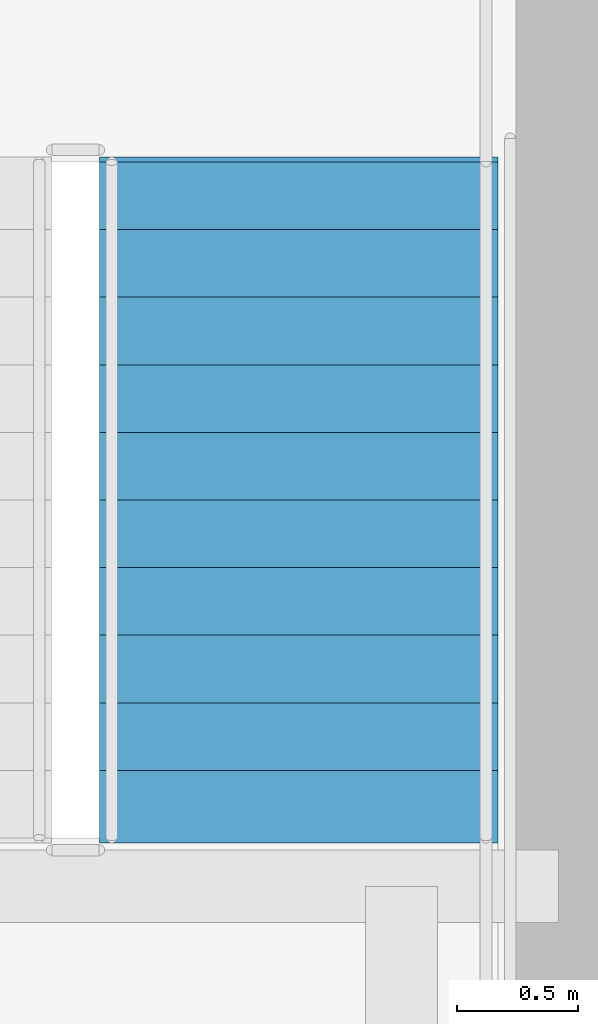
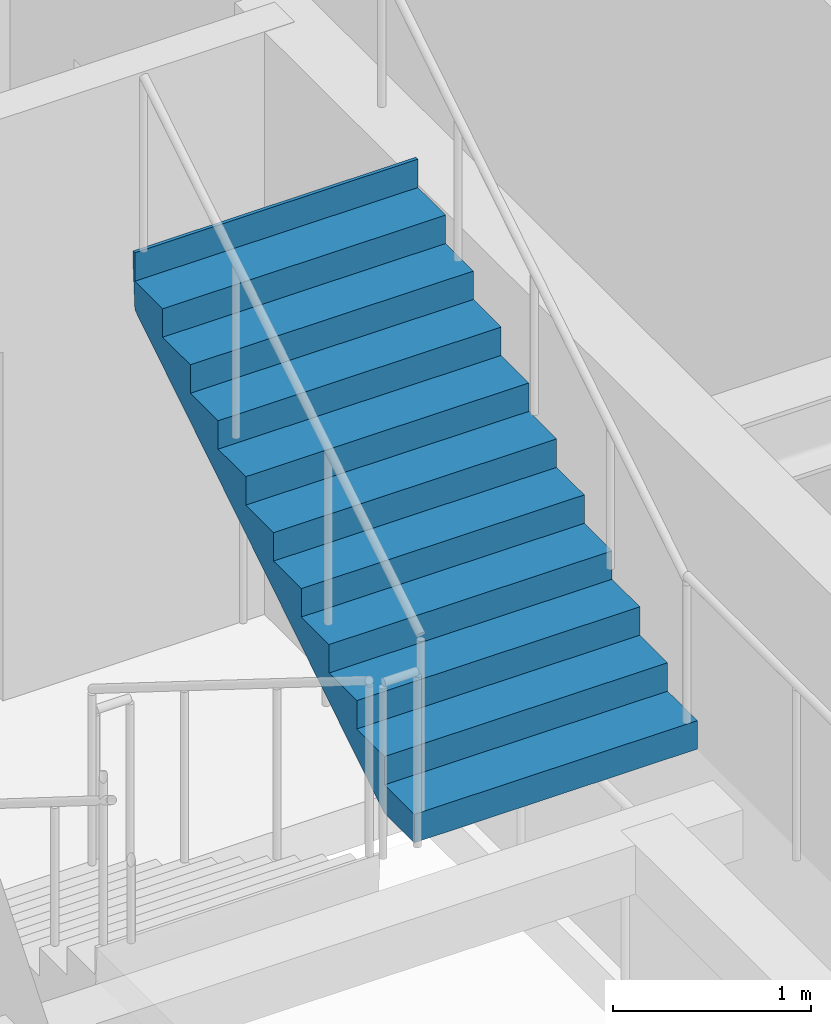
# One storey, part 31 of 37: 1 stair flight, 1 element without a shape of its own.
"""IFC4 building model written with IfcOpenShell, lengths in metres."""

from ifc_helpers import new_model, si_unit, direction, frame, origin, place, context, subcontext, project, spatial, polygons, material, type_object, element, aggregate, save


model = new_model("IFC4")

# Units and contexts
model_context = context("Model", 3, precision=1e-05, world=origin(), true_north=direction((0.0, 1.0)))
body_context = subcontext(model_context, "Body", "Model", "MODEL_VIEW")
ifc_project = project(units=[si_unit("LENGTHUNIT", "METRE"), si_unit("AREAUNIT", "SQUARE_METRE"), si_unit("VOLUMEUNIT", "CUBIC_METRE"), si_unit("PLANEANGLEUNIT", "RADIAN"), si_unit("MASSUNIT", "GRAM", prefix="KILO")], contexts=[model_context])

# Site, building, storey
site_placement = place(None, origin())
site = spatial("IfcSite", under=ifc_project, at=site_placement, CompositionType="ELEMENT")
building_placement = place(site_placement, origin())
building = spatial("IfcBuilding", under=site, at=building_placement, Name="Serunith Strait Residences", CompositionType="ELEMENT")
storey_placement = place(building_placement, frame((0.0, 0.0, 218.14990234375)))
storey = spatial("IfcBuildingStorey", under=building, at=storey_placement, Name="L54", CompositionType="ELEMENT", Elevation=218.14990234375)

# Stair, stair flight
ifc_material = material(Name="Concrete C50/60", Category="concrete")
stair_type = type_object("IfcStairType", Name="STR-CORE-2", PredefinedType="HALF_TURN_STAIR", material=ifc_material)
stair_placement = place(storey_placement, origin())
stair = element("IfcStair", 1, at=stair_placement, inside=storey, type_object=stair_type, Name="L54 Protected Escape Stair ST-2", PredefinedType="HALF_TURN_STAIR")
stair_flight_type = type_object("IfcStairFlightType", Name="FLT-CORE-2", PredefinedType="STRAIGHT", material=ifc_material)
stair_flight_placement = place(storey_placement, frame((40.324951171875, 20.570068359375, 1.925048828125), z_axis=(0.0, 0.0, 1.0), x_axis=(0.0, 1.0, 0.0)))
stair_flight = element("IfcStairFlight", 2, at=stair_flight_placement, type_object=stair_flight_type, Name="ST-2 flight 2", NumberOfRisers=11, NumberOfTreads=10, PredefinedType="STRAIGHT", RiserHeight=0.175, TreadLength=0.28, context=body_context, shape_type="Tessellation", body=[
    polygons([(-0.02001953125, -0.824951171875, 0.0), (-0.02001953125, -0.824951171875, 0.175048828125), (0.280029296875, -0.824951171875, 0.175048828125), (0.280029296875, -0.824951171875, 0.35009765625), (0.56005859375, -0.824951171875, 0.35009765625), (0.56005859375, -0.824951171875, 0.52490234375), (0.840087890625, -0.824951171875, 0.52490234375), (0.840087890625, -0.824951171875, 0.699951171875), (1.1201171875, -0.824951171875, 0.699951171875), (1.1201171875, -0.824951171875, 0.875), (1.39990234375, -0.824951171875, 0.875), (1.39990234375, -0.824951171875, 1.050048828125), (1.679931640625, -0.824951171875, 1.050048828125), (1.679931640625, -0.824951171875, 1.22509765625), (1.9599609375, -0.824951171875, 1.22509765625), (1.9599609375, -0.824951171875, 1.39990234375), (2.239990234375, -0.824951171875, 1.39990234375), (2.239990234375, -0.824951171875, 1.574951171875), (2.52001953125, -0.824951171875, 1.574951171875), (2.52001953125, -0.824951171875, 1.75), (2.800048828125, -0.824951171875, 1.75), (2.800048828125, -0.824951171875, 1.925048828125), (2.820068359375, -0.824951171875, 1.925048828125), (2.820068359375, -0.824951171875, 1.864990234375), (2.800048828125, -0.824951171875, 1.5732421875), (0.28271484375, -0.824951171875, 0.0), (-0.02001953125, -0.41259765625, 0.0), (-0.02001953125, -0.41259765625, 0.175048828125), (0.280029296875, -0.41259765625, 0.175048828125), (0.280029296875, -0.41259765625, 0.35009765625), (0.56005859375, -0.41259765625, 0.35009765625), (0.56005859375, -0.41259765625, 0.52490234375), (0.840087890625, -0.41259765625, 0.52490234375), (0.840087890625, -0.41259765625, 0.699951171875), (1.1201171875, -0.41259765625, 0.699951171875), (1.1201171875, -0.41259765625, 0.875), (1.39990234375, -0.41259765625, 0.875), (1.39990234375, -0.41259765625, 1.050048828125), (1.679931640625, -0.41259765625, 1.050048828125), (1.679931640625, -0.41259765625, 1.22509765625), (1.9599609375, -0.41259765625, 1.22509765625), (1.9599609375, -0.41259765625, 1.39990234375), (2.239990234375, -0.41259765625, 1.39990234375), (2.239990234375, -0.41259765625, 1.574951171875), (2.52001953125, -0.41259765625, 1.574951171875), (2.52001953125, -0.41259765625, 1.75), (2.800048828125, -0.41259765625, 1.75), (2.800048828125, -0.41259765625, 1.925048828125), (2.820068359375, -0.41259765625, 1.925048828125), (2.820068359375, -0.41259765625, 1.864990234375), (2.800048828125, -0.41259765625, 1.5732421875), (0.28271484375, -0.41259765625, 0.0), (-0.02001953125, 0.0, 0.0), (-0.02001953125, 0.0, 0.175048828125), (0.280029296875, 0.0, 0.175048828125), (0.280029296875, 0.0, 0.35009765625), (0.56005859375, 0.0, 0.35009765625), (0.56005859375, 0.0, 0.52490234375), (0.840087890625, 0.0, 0.52490234375), (0.840087890625, 0.0, 0.699951171875), (1.1201171875, 0.0, 0.699951171875), (1.1201171875, 0.0, 0.875), (1.39990234375, 0.0, 0.875), (1.39990234375, 0.0, 1.050048828125), (1.679931640625, 0.0, 1.050048828125), (1.679931640625, 0.0, 1.22509765625), (1.9599609375, 0.0, 1.22509765625), (1.9599609375, 0.0, 1.39990234375), (2.239990234375, 0.0, 1.39990234375), (2.239990234375, 0.0, 1.574951171875), (2.52001953125, 0.0, 1.574951171875), (2.52001953125, 0.0, 1.75), (2.800048828125, 0.0, 1.75), (2.800048828125, 0.0, 1.925048828125), (2.820068359375, 0.0, 1.925048828125), (2.820068359375, 0.0, 1.864990234375), (2.800048828125, 0.0, 1.5732421875), (0.28271484375, 0.0, 0.0), (-0.02001953125, 0.41259765625, 0.0), (-0.02001953125, 0.41259765625, 0.175048828125), (0.280029296875, 0.41259765625, 0.175048828125), (0.280029296875, 0.41259765625, 0.35009765625), (0.56005859375, 0.41259765625, 0.35009765625), (0.56005859375, 0.41259765625, 0.52490234375), (0.840087890625, 0.41259765625, 0.52490234375), (0.840087890625, 0.41259765625, 0.699951171875), (1.1201171875, 0.41259765625, 0.699951171875), (1.1201171875, 0.41259765625, 0.875), (1.39990234375, 0.41259765625, 0.875), (1.39990234375, 0.41259765625, 1.050048828125), (1.679931640625, 0.41259765625, 1.050048828125), (1.679931640625, 0.41259765625, 1.22509765625), (1.9599609375, 0.41259765625, 1.22509765625), (1.9599609375, 0.41259765625, 1.39990234375), (2.239990234375, 0.41259765625, 1.39990234375), (2.239990234375, 0.41259765625, 1.574951171875), (2.52001953125, 0.41259765625, 1.574951171875), (2.52001953125, 0.41259765625, 1.75), (2.800048828125, 0.41259765625, 1.75), (2.800048828125, 0.41259765625, 1.925048828125), (2.820068359375, 0.41259765625, 1.925048828125), (2.820068359375, 0.41259765625, 1.864990234375), (2.800048828125, 0.41259765625, 1.5732421875), (0.28271484375, 0.41259765625, 0.0), (-0.02001953125, 0.824951171875, 0.0), (-0.02001953125, 0.824951171875, 0.175048828125), (0.280029296875, 0.824951171875, 0.175048828125), (0.280029296875, 0.824951171875, 0.35009765625), (0.56005859375, 0.824951171875, 0.35009765625), (0.56005859375, 0.824951171875, 0.52490234375), (0.840087890625, 0.824951171875, 0.52490234375), (0.840087890625, 0.824951171875, 0.699951171875), (1.1201171875, 0.824951171875, 0.699951171875), (1.1201171875, 0.824951171875, 0.875), (1.39990234375, 0.824951171875, 0.875), (1.39990234375, 0.824951171875, 1.050048828125), (1.679931640625, 0.824951171875, 1.050048828125), (1.679931640625, 0.824951171875, 1.22509765625), (1.9599609375, 0.824951171875, 1.22509765625), (1.9599609375, 0.824951171875, 1.39990234375), (2.239990234375, 0.824951171875, 1.39990234375), (2.239990234375, 0.824951171875, 1.574951171875), (2.52001953125, 0.824951171875, 1.574951171875), (2.52001953125, 0.824951171875, 1.75), (2.800048828125, 0.824951171875, 1.75), (2.800048828125, 0.824951171875, 1.925048828125), (2.820068359375, 0.824951171875, 1.925048828125), (2.820068359375, 0.824951171875, 1.864990234375), (2.800048828125, 0.824951171875, 1.5732421875), (0.28271484375, 0.824951171875, 0.0)], [[[1, 2, 28, 27]], [[2, 3, 29, 28]], [[3, 4, 30, 29]], [[4, 5, 31, 30]], [[5, 6, 32, 31]], [[6, 7, 33, 32]], [[7, 8, 34, 33]], [[8, 9, 35, 34]], [[9, 10, 36, 35]], [[10, 11, 37, 36]], [[11, 12, 38, 37]], [[12, 13, 39, 38]], [[13, 14, 40, 39]], [[14, 15, 41, 40]], [[15, 16, 42, 41]], [[16, 17, 43, 42]], [[17, 18, 44, 43]], [[18, 19, 45, 44]], [[19, 20, 46, 45]], [[20, 21, 47, 46]], [[21, 22, 48, 47]], [[22, 23, 49, 48]], [[23, 24, 50, 49]], [[24, 25, 51, 50]], [[25, 26, 52, 51]], [[26, 1, 27, 52]], [[27, 28, 54, 53]], [[28, 29, 55, 54]], [[29, 30, 56, 55]], [[30, 31, 57, 56]], [[31, 32, 58, 57]], [[32, 33, 59, 58]], [[33, 34, 60, 59]], [[34, 35, 61, 60]], [[35, 36, 62, 61]], [[36, 37, 63, 62]], [[37, 38, 64, 63]], [[38, 39, 65, 64]], [[39, 40, 66, 65]], [[40, 41, 67, 66]], [[41, 42, 68, 67]], [[42, 43, 69, 68]], [[43, 44, 70, 69]], [[44, 45, 71, 70]], [[45, 46, 72, 71]], [[46, 47, 73, 72]], [[47, 48, 74, 73]], [[48, 49, 75, 74]], [[49, 50, 76, 75]], [[50, 51, 77, 76]], [[51, 52, 78, 77]], [[52, 27, 53, 78]], [[53, 54, 80, 79]], [[54, 55, 81, 80]], [[55, 56, 82, 81]], [[56, 57, 83, 82]], [[57, 58, 84, 83]], [[58, 59, 85, 84]], [[59, 60, 86, 85]], [[60, 61, 87, 86]], [[61, 62, 88, 87]], [[62, 63, 89, 88]], [[63, 64, 90, 89]], [[64, 65, 91, 90]], [[65, 66, 92, 91]], [[66, 67, 93, 92]], [[67, 68, 94, 93]], [[68, 69, 95, 94]], [[69, 70, 96, 95]], [[70, 71, 97, 96]], [[71, 72, 98, 97]], [[72, 73, 99, 98]], [[73, 74, 100, 99]], [[74, 75, 101, 100]], [[75, 76, 102, 101]], [[76, 77, 103, 102]], [[77, 78, 104, 103]], [[78, 53, 79, 104]], [[79, 80, 106, 105]], [[80, 81, 107, 106]], [[81, 82, 108, 107]], [[82, 83, 109, 108]], [[83, 84, 110, 109]], [[84, 85, 111, 110]], [[85, 86, 112, 111]], [[86, 87, 113, 112]], [[87, 88, 114, 113]], [[88, 89, 115, 114]], [[89, 90, 116, 115]], [[90, 91, 117, 116]], [[91, 92, 118, 117]], [[92, 93, 119, 118]], [[93, 94, 120, 119]], [[94, 95, 121, 120]], [[95, 96, 122, 121]], [[96, 97, 123, 122]], [[97, 98, 124, 123]], [[98, 99, 125, 124]], [[99, 100, 126, 125]], [[100, 101, 127, 126]], [[101, 102, 128, 127]], [[102, 103, 129, 128]], [[103, 104, 130, 129]], [[104, 79, 105, 130]], [[26, 25, 24, 23, 22, 21, 20, 19, 18, 17, 16, 15, 14, 13, 12, 11, 10, 9, 8, 7, 6, 5, 4, 3, 2, 1]], [[105, 106, 107, 108, 109, 110, 111, 112, 113, 114, 115, 116, 117, 118, 119, 120, 121, 122, 123, 124, 125, 126, 127, 128, 129, 130]]], closed=True),
])
aggregate(stair, [stair_flight])

save(model, "model.ifc")
